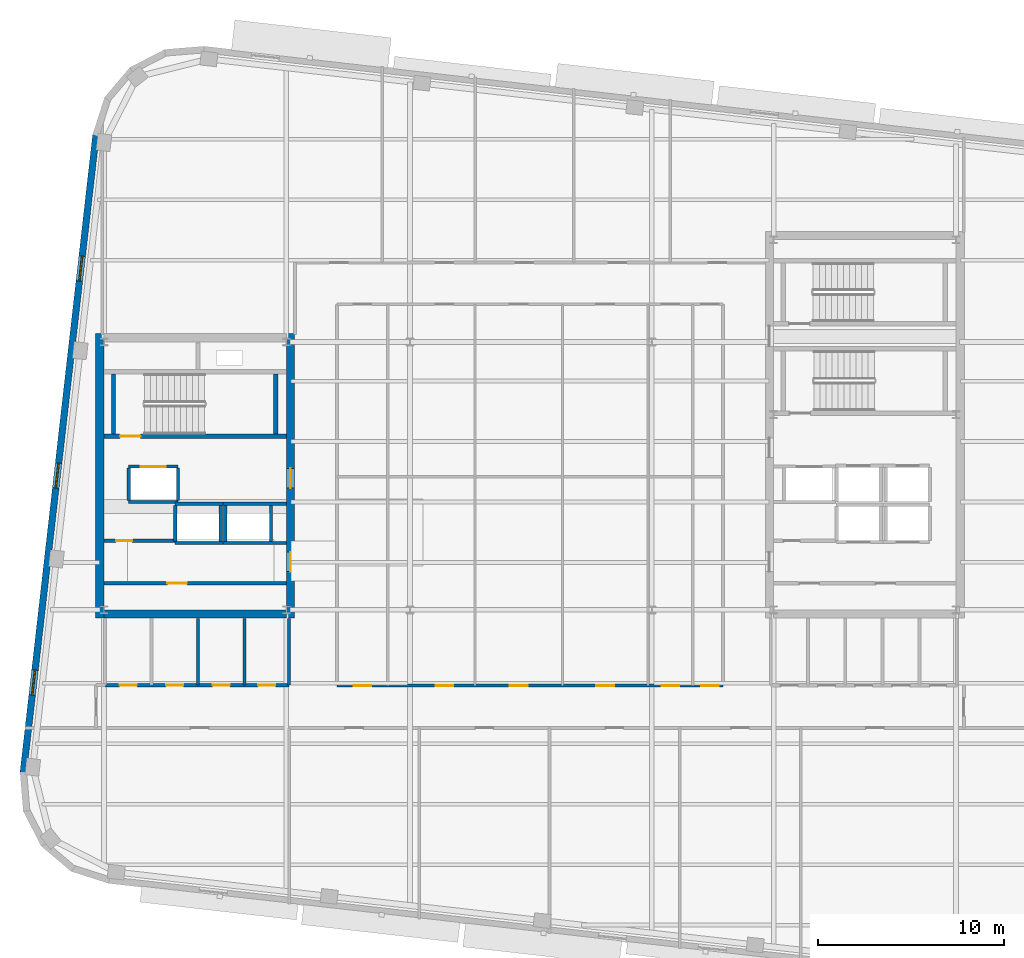
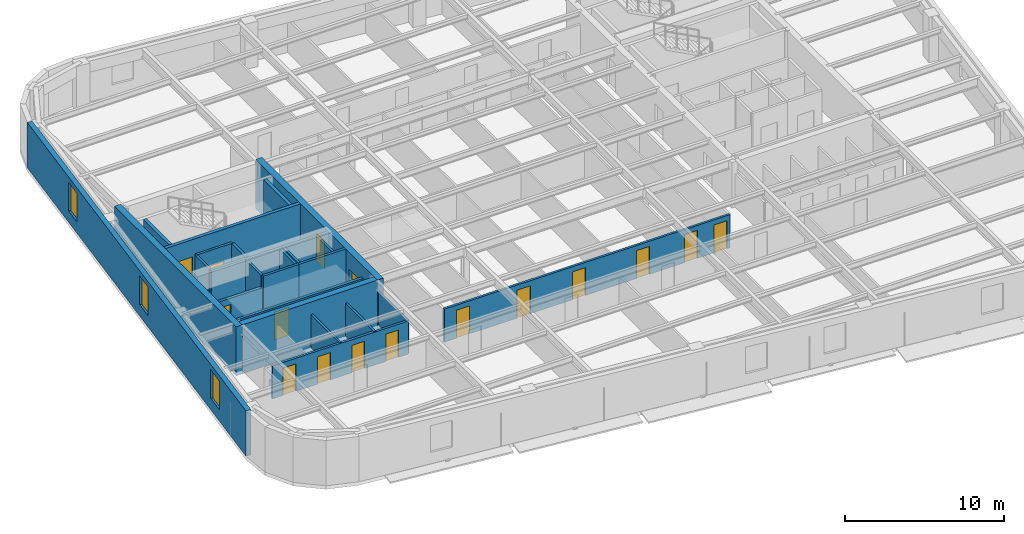
# One storey, part 6 of 13: 26 walls, 16 doors, 3 windows, 19 openings.
"""IFC4 building model written with IfcOpenShell, lengths in metres."""

from ifc_helpers import new_model, si_unit, direction, frame, frame_2d, origin, place, context, subcontext, project, spatial, rectangle, extrude, material, layer, layer_set, type_object, element, fill, save


model = new_model("IFC4")

# Units and contexts
model_context = context("Model", 3, precision=1e-05, world=origin(), true_north=direction((0.0, 1.0)))
body_context = subcontext(model_context, "Body", "Model", "MODEL_VIEW")
ifc_project = project(units=[si_unit("LENGTHUNIT", "METRE"), si_unit("AREAUNIT", "SQUARE_METRE"), si_unit("VOLUMEUNIT", "CUBIC_METRE"), si_unit("PLANEANGLEUNIT", "RADIAN"), si_unit("MASSUNIT", "GRAM", prefix="KILO")], contexts=[model_context])

# Site, building, storey
site_placement = place(None, origin())
site = spatial("IfcSite", under=ifc_project, at=site_placement, CompositionType="ELEMENT")
building_placement = place(site_placement, origin())
building = spatial("IfcBuilding", under=site, at=building_placement, Name="Kolvaren Arena Tower", CompositionType="ELEMENT")
storey_placement = place(building_placement, frame((0.0, 0.0, 232.199951171875)))
storey = spatial("IfcBuildingStorey", under=building, at=storey_placement, Name="L56", CompositionType="ELEMENT", Elevation=232.199951171875)

# Wall, openings, doors
ifc_material_1 = material(Name="Gypsum board acoustic assembly", Category="gypsum")
ifc_layer_1 = layer(ifc_material_1, 0.159912109375)
ifc_layer_set_1 = layer_set([ifc_layer_1], Name="Gypsum board acoustic assembly")
wall_type_1 = type_object("IfcWallType", Name="CORR-160", PredefinedType="PARTITIONING", material=ifc_layer_set_1)
wall_1_placement = place(storey_placement, frame((27.080078125, 15.3798828125, 0.0), z_axis=(0.0, 0.0, 1.0), x_axis=(1.0, 0.0, 0.0)))
wall_1 = element("IfcWall", 1, at=wall_1_placement, inside=storey, type_object=wall_type_1, Name="Interior Partition Wall (L56)", PredefinedType="PARTITIONING", context=body_context, shape_type="SweptSolid", body=[
    extrude(rectangle(XDim=20.739990234375, YDim=0.159912109375, at=frame_2d((10.3701171875, 0.0))), origin(), (0.0, 0.0, 1.0), 2.5400390625),
])
opening_1_placement = place(wall_1_placement, frame((0.89501953125, 0.0, 0.0)))
opening_1 = element("IfcOpeningElement", 2, at=opening_1_placement, cuts=wall_1, Name="Opening D05", PredefinedType="OPENING", context=body_context, shape_type="SweptSolid", body=[
    extrude(rectangle(XDim=0.949951171875, YDim=2.14990234375, at=frame_2d((0.47509765625, 1.074951171875))), frame((0.0, 0.08984375, 0.0), z_axis=(0.0, -1.0, 0.0), x_axis=(1.0, 0.0, 0.0)), (0.0, 0.0, 1.0), 0.179931640625),
])
opening_2_placement = place(wall_1_placement, frame((5.294921875, 0.0, 0.0)))
opening_2 = element("IfcOpeningElement", 3, at=opening_2_placement, cuts=wall_1, Name="Opening D05", PredefinedType="OPENING", context=body_context, shape_type="SweptSolid", body=[
    extrude(rectangle(XDim=0.949951171875, YDim=2.14990234375, at=frame_2d((0.47509765625, 1.074951171875))), frame((0.0, 0.08984375, 0.0), z_axis=(0.0, -1.0, 0.0), x_axis=(1.0, 0.0, 0.0)), (0.0, 0.0, 1.0), 0.179931640625),
])
opening_3_placement = place(wall_1_placement, frame((9.294921875, 0.0, 0.0)))
opening_3 = element("IfcOpeningElement", 4, at=opening_3_placement, cuts=wall_1, Name="Opening D05", PredefinedType="OPENING", context=body_context, shape_type="SweptSolid", body=[
    extrude(rectangle(XDim=0.949951171875, YDim=2.14990234375, at=frame_2d((0.47509765625, 1.074951171875))), frame((0.0, 0.08984375, 0.0), z_axis=(0.0, -1.0, 0.0), x_axis=(1.0, 0.0, 0.0)), (0.0, 0.0, 1.0), 0.179931640625),
])
opening_4_placement = place(wall_1_placement, frame((13.945068359375, 0.0, 0.0)))
opening_4 = element("IfcOpeningElement", 5, at=opening_4_placement, cuts=wall_1, Name="Opening D05", PredefinedType="OPENING", context=body_context, shape_type="SweptSolid", body=[
    extrude(rectangle(XDim=0.949951171875, YDim=2.14990234375, at=frame_2d((0.47509765625, 1.074951171875))), frame((0.0, 0.08984375, 0.0), z_axis=(0.0, -1.0, 0.0), x_axis=(1.0, 0.0, 0.0)), (0.0, 0.0, 1.0), 0.179931640625),
])
opening_5_placement = place(wall_1_placement, frame((17.445068359375, 0.0, 0.0)))
opening_5 = element("IfcOpeningElement", 6, at=opening_5_placement, cuts=wall_1, Name="Opening D05", PredefinedType="OPENING", context=body_context, shape_type="SweptSolid", body=[
    extrude(rectangle(XDim=0.949951171875, YDim=2.14990234375, at=frame_2d((0.47509765625, 1.074951171875))), frame((0.0, 0.08984375, 0.0), z_axis=(0.0, -1.0, 0.0), x_axis=(1.0, 0.0, 0.0)), (0.0, 0.0, 1.0), 0.179931640625),
])
opening_6_placement = place(wall_1_placement, frame((19.570068359375, 0.0, 0.0)))
opening_6 = element("IfcOpeningElement", 7, at=opening_6_placement, cuts=wall_1, Name="Opening D05", PredefinedType="OPENING", context=body_context, shape_type="SweptSolid", body=[
    extrude(rectangle(XDim=0.949951171875, YDim=2.14990234375, at=frame_2d((0.47509765625, 1.074951171875))), frame((0.0, 0.08984375, 0.0), z_axis=(0.0, -1.0, 0.0), x_axis=(1.0, 0.0, 0.0)), (0.0, 0.0, 1.0), 0.179931640625),
])
ifc_material_2 = material(Name="Solid-core oak acoustic office door", Category="wood")
door_type_1 = type_object("IfcDoorType", Name="DOOR-OF-095", OperationType="NOTDEFINED", PredefinedType="DOOR", material=ifc_material_2)
door_1_placement = place(opening_1_placement, origin())
door_1 = element("IfcDoor", 8, at=door_1_placement, inside=storey, type_object=door_type_1, Name="Training Seminar Room Door (L56)", OperationType="SINGLE_SWING_RIGHT", OverallHeight=2.14990234375, OverallWidth=0.949951171875, PredefinedType="DOOR", context=body_context, shape_type="SweptSolid", body=[
    extrude(rectangle(XDim=0.949951171875, YDim=2.14990234375, at=frame_2d((0.47509765625, 1.074951171875))), frame((0.0, 0.02490234375, 0.0), z_axis=(0.0, -1.0, 0.0), x_axis=(1.0, 0.0, 0.0)), (0.0, 0.0, 1.0), 0.050048828125),
])
fill(opening_1, door_1)
door_2_placement = place(opening_2_placement, origin())
door_2 = element("IfcDoor", 9, at=door_2_placement, inside=storey, type_object=door_type_1, Name="Training Seminar Room Door (L56)", OperationType="SINGLE_SWING_RIGHT", OverallHeight=2.14990234375, OverallWidth=0.949951171875, PredefinedType="DOOR", context=body_context, shape_type="SweptSolid", body=[
    extrude(rectangle(XDim=0.949951171875, YDim=2.14990234375, at=frame_2d((0.47509765625, 1.074951171875))), frame((0.0, 0.02490234375, 0.0), z_axis=(0.0, -1.0, 0.0), x_axis=(1.0, 0.0, 0.0)), (0.0, 0.0, 1.0), 0.050048828125),
])
fill(opening_2, door_2)
door_3_placement = place(opening_3_placement, origin())
door_3 = element("IfcDoor", 10, at=door_3_placement, inside=storey, type_object=door_type_1, Name="Boardroom Door (L56)", OperationType="SINGLE_SWING_RIGHT", OverallHeight=2.14990234375, OverallWidth=0.949951171875, PredefinedType="DOOR", context=body_context, shape_type="SweptSolid", body=[
    extrude(rectangle(XDim=0.949951171875, YDim=2.14990234375, at=frame_2d((0.47509765625, 1.074951171875))), frame((0.0, 0.02490234375, 0.0), z_axis=(0.0, -1.0, 0.0), x_axis=(1.0, 0.0, 0.0)), (0.0, 0.0, 1.0), 0.050048828125),
])
fill(opening_3, door_3)
door_4_placement = place(opening_4_placement, origin())
door_4 = element("IfcDoor", 11, at=door_4_placement, inside=storey, type_object=door_type_1, Name="Training Seminar Room Door (L56)", OperationType="SINGLE_SWING_RIGHT", OverallHeight=2.14990234375, OverallWidth=0.949951171875, PredefinedType="DOOR", context=body_context, shape_type="SweptSolid", body=[
    extrude(rectangle(XDim=0.949951171875, YDim=2.14990234375, at=frame_2d((0.47509765625, 1.074951171875))), frame((0.0, 0.02490234375, 0.0), z_axis=(0.0, -1.0, 0.0), x_axis=(1.0, 0.0, 0.0)), (0.0, 0.0, 1.0), 0.050048828125),
])
fill(opening_4, door_4)
door_5_placement = place(opening_5_placement, origin())
door_5 = element("IfcDoor", 12, at=door_5_placement, inside=storey, type_object=door_type_1, Name="Training Seminar Room Door (L56)", OperationType="SINGLE_SWING_RIGHT", OverallHeight=2.14990234375, OverallWidth=0.949951171875, PredefinedType="DOOR", context=body_context, shape_type="SweptSolid", body=[
    extrude(rectangle(XDim=0.949951171875, YDim=2.14990234375, at=frame_2d((0.47509765625, 1.074951171875))), frame((0.0, 0.02490234375, 0.0), z_axis=(0.0, -1.0, 0.0), x_axis=(1.0, 0.0, 0.0)), (0.0, 0.0, 1.0), 0.050048828125),
])
fill(opening_5, door_5)
door_6_placement = place(opening_6_placement, origin())
door_6 = element("IfcDoor", 13, at=door_6_placement, inside=storey, type_object=door_type_1, Name="Boardroom Door (L56)", OperationType="SINGLE_SWING_RIGHT", OverallHeight=2.14990234375, OverallWidth=0.949951171875, PredefinedType="DOOR", context=body_context, shape_type="SweptSolid", body=[
    extrude(rectangle(XDim=0.949951171875, YDim=2.14990234375, at=frame_2d((0.47509765625, 1.074951171875))), frame((0.0, 0.02490234375, 0.0), z_axis=(0.0, -1.0, 0.0), x_axis=(1.0, 0.0, 0.0)), (0.0, 0.0, 1.0), 0.050048828125),
])
fill(opening_6, door_6)

# Wall
ifc_material_3 = material(Name="Concrete 55 MPa", Category="concrete")
ifc_layer_2 = layer(ifc_material_3, 0.449951171875)
ifc_layer_set_2 = layer_set([ifc_layer_2], Name="Concrete 55 MPa")
wall_type_2 = type_object("IfcWallType", Name="CWALL-450", PredefinedType="SHEAR", material=ifc_layer_set_2)
wall_2_placement = place(storey_placement, frame((14.324951171875, 19.0, -0.27001953125), z_axis=(0.0, 0.0, 1.0), x_axis=(0.0, 1.0, 0.0)))
element("IfcWall", 14, at=wall_2_placement, inside=storey, type_object=wall_type_2, Name="Core Shear Wall WC-WEST (L56)", PredefinedType="SHEAR", context=body_context, shape_type="SweptSolid", body=[
    extrude(rectangle(XDim=15.300048828125, YDim=0.449951171875, at=frame_2d((7.64990234375, 0.0))), origin(), (0.0, 0.0, 1.0), 3.75),
])

# Wall, openings, doors
wall_3_placement = place(storey_placement, frame((24.574951171875, 19.0, -0.27001953125), z_axis=(0.0, 0.0, 1.0), x_axis=(0.0, 1.0, 0.0)))
wall_3 = element("IfcWall", 15, at=wall_3_placement, inside=storey, type_object=wall_type_2, Name="Core Shear Wall WC-EAST (L56)", PredefinedType="SHEAR", context=body_context, shape_type="SweptSolid", body=[
    extrude(rectangle(XDim=15.300048828125, YDim=0.449951171875, at=frame_2d((7.64990234375, 0.0))), origin(), (0.0, 0.0, 1.0), 3.75),
])
opening_7_placement = place(wall_3_placement, frame((2.5, 0.0, 0.27001953125)))
opening_7 = element("IfcOpeningElement", 16, at=opening_7_placement, cuts=wall_3, Name="Opening D04", PredefinedType="OPENING", context=body_context, shape_type="SweptSolid", body=[
    extrude(rectangle(XDim=1.050048828125, YDim=2.14990234375, at=frame_2d((0.52490234375, 1.074951171875))), frame((0.0, 0.23486328125, 0.0), z_axis=(0.0, -1.0, 0.0), x_axis=(1.0, 0.0, 0.0)), (0.0, 0.0, 1.0), 0.469970703125),
])
opening_8_placement = place(wall_3_placement, frame((7.0, 0.0, 0.27001953125)))
opening_8 = element("IfcOpeningElement", 17, at=opening_8_placement, cuts=wall_3, Name="Opening D04", PredefinedType="OPENING", context=body_context, shape_type="SweptSolid", body=[
    extrude(rectangle(XDim=1.050048828125, YDim=2.14990234375, at=frame_2d((0.52490234375, 1.074951171875))), frame((0.0, 0.23486328125, 0.0), z_axis=(0.0, -1.0, 0.0), x_axis=(1.0, 0.0, 0.0)), (0.0, 0.0, 1.0), 0.469970703125),
])
ifc_material_4 = material(Name="Fire-rated steel lobby door", Category="steel")
door_type_2 = type_object("IfcDoorType", Name="DOOR-FF-105", OperationType="NOTDEFINED", PredefinedType="DOOR", material=ifc_material_4)
door_7_placement = place(opening_7_placement, origin())
door_7 = element("IfcDoor", 18, at=door_7_placement, inside=storey, type_object=door_type_2, Name="West Lift Lobby Fire Door (L56)", OperationType="SINGLE_SWING_LEFT", OverallHeight=2.14990234375, OverallWidth=1.050048828125, PredefinedType="DOOR", context=body_context, shape_type="SweptSolid", body=[
    extrude(rectangle(XDim=1.050048828125, YDim=2.14990234375, at=frame_2d((0.52490234375, 1.074951171875))), frame((0.0, 0.02490234375, 0.0), z_axis=(0.0, -1.0, 0.0), x_axis=(1.0, 0.0, 0.0)), (0.0, 0.0, 1.0), 0.050048828125),
])
fill(opening_7, door_7)
door_8_placement = place(opening_8_placement, origin())
door_8 = element("IfcDoor", 19, at=door_8_placement, inside=storey, type_object=door_type_2, Name="West Firefighter Vestibule Door (L56)", OperationType="SINGLE_SWING_RIGHT", OverallHeight=2.14990234375, OverallWidth=1.050048828125, PredefinedType="DOOR", context=body_context, shape_type="SweptSolid", body=[
    extrude(rectangle(XDim=1.050048828125, YDim=2.14990234375, at=frame_2d((0.52490234375, 1.074951171875))), frame((0.0, 0.02490234375, 0.0), z_axis=(0.0, -1.0, 0.0), x_axis=(1.0, 0.0, 0.0)), (0.0, 0.0, 1.0), 0.050048828125),
])
fill(opening_8, door_8)

# Wall
wall_4_placement = place(storey_placement, frame((14.550048828125, 19.22509765625, -0.27001953125), z_axis=(0.0, 0.0, 1.0), x_axis=(1.0, 0.0, 0.0)))
element("IfcWall", 20, at=wall_4_placement, inside=storey, type_object=wall_type_2, Name="Core Shear Wall WC-SOUTH (L56)", PredefinedType="SHEAR", context=body_context, shape_type="SweptSolid", body=[
    extrude(rectangle(XDim=9.800048828125, YDim=0.449951171875, at=frame_2d((4.89990234375, 0.0))), origin(), (0.0, 0.0, 1.0), 3.75),
])

# Wall, openings, windows
ifc_material_5 = material(Name="Precast concrete C50/60", Category="concrete")
ifc_layer_3 = layer(ifc_material_5, 0.360107421875)
ifc_layer_set_3 = layer_set([ifc_layer_3], Name="Precast concrete C50/60")
wall_type_3 = type_object("IfcWallType", Name="EXT-PIER2", PredefinedType="SOLIDWALL", material=ifc_layer_set_3)
wall_5_placement = place(storey_placement, frame((10.211181640625, 10.70068359375, 0.0), z_axis=(0.0, 0.0, 1.0), x_axis=(0.113203107947, 0.993571867733, 0.0)))
wall_5 = element("IfcWall", 21, at=wall_5_placement, inside=storey, type_object=wall_type_3, Name="Exterior Precast Masonry-Frame Wall (L56)", PredefinedType="SOLIDWALL", context=body_context, shape_type="SweptSolid", body=[
    extrude(rectangle(XDim=34.5, YDim=0.360107421875, at=frame_2d((17.25, 0.0))), origin(), (0.0, 0.0, 1.0), 3.47998046875),
])
opening_9_placement = place(wall_5_placement, frame((4.199951171875, 0.0, 0.8798828125)))
opening_9 = element("IfcOpeningElement", 22, at=opening_9_placement, cuts=wall_5, Name="Opening W04", PredefinedType="OPENING", context=body_context, shape_type="SweptSolid", body=[
    extrude(rectangle(XDim=1.35009765625, YDim=2.199951171875, at=frame_2d((0.675048828125, 1.10009765625))), frame((0.0, 0.18994140625, 0.0), z_axis=(0.0, -1.0, 0.0), x_axis=(1.0, 0.0, 0.0)), (0.0, 0.0, 1.0), 0.380126953125),
])
opening_10_placement = place(wall_5_placement, frame((15.39990234375, 0.0, 0.8798828125)))
opening_10 = element("IfcOpeningElement", 23, at=opening_10_placement, cuts=wall_5, Name="Opening W04", PredefinedType="OPENING", context=body_context, shape_type="SweptSolid", body=[
    extrude(rectangle(XDim=1.35009765625, YDim=2.199951171875, at=frame_2d((0.675048828125, 1.10009765625))), frame((0.0, 0.18994140625, 0.0), z_axis=(0.0, -1.0, 0.0), x_axis=(1.0, 0.0, 0.0)), (0.0, 0.0, 1.0), 0.380126953125),
])
opening_11_placement = place(wall_5_placement, frame((26.60009765625, 0.0, 0.8798828125)))
opening_11 = element("IfcOpeningElement", 24, at=opening_11_placement, cuts=wall_5, Name="Opening W04", PredefinedType="OPENING", context=body_context, shape_type="SweptSolid", body=[
    extrude(rectangle(XDim=1.35009765625, YDim=2.199951171875, at=frame_2d((0.675048828125, 1.10009765625))), frame((0.0, 0.18994140625, 0.0), z_axis=(0.0, -1.0, 0.0), x_axis=(1.0, 0.0, 0.0)), (0.0, 0.0, 1.0), 0.380126953125),
])
ifc_material_6 = material(Name="Triple-glazed curved-facet corner window", Category="glass")
window_type = type_object("IfcWindowType", Name="WIN-CRN-A", PartitioningType="SINGLE_PANEL", PredefinedType="WINDOW", material=ifc_material_6)
window_1_placement = place(opening_9_placement, origin())
window_1 = element("IfcWindow", 25, at=window_1_placement, inside=storey, type_object=window_type, Name="End-Wall Punched Window (L56)", OverallHeight=2.199951171875, OverallWidth=1.35009765625, PartitioningType="SINGLE_PANEL", PredefinedType="WINDOW", context=body_context, shape_type="SweptSolid", body=[
    extrude(rectangle(XDim=1.35009765625, YDim=2.199951171875, at=frame_2d((0.675048828125, 1.10009765625))), frame((0.0, 0.030029296875, 0.0), z_axis=(0.0, -1.0, 0.0), x_axis=(1.0, 0.0, 0.0)), (0.0, 0.0, 1.0), 0.06005859375),
])
fill(opening_9, window_1)
window_2_placement = place(opening_10_placement, origin())
window_2 = element("IfcWindow", 26, at=window_2_placement, inside=storey, type_object=window_type, Name="End-Wall Punched Window (L56)", OverallHeight=2.199951171875, OverallWidth=1.35009765625, PartitioningType="SINGLE_PANEL", PredefinedType="WINDOW", context=body_context, shape_type="SweptSolid", body=[
    extrude(rectangle(XDim=1.35009765625, YDim=2.199951171875, at=frame_2d((0.675048828125, 1.10009765625))), frame((0.0, 0.030029296875, 0.0), z_axis=(0.0, -1.0, 0.0), x_axis=(1.0, 0.0, 0.0)), (0.0, 0.0, 1.0), 0.06005859375),
])
fill(opening_10, window_2)
window_3_placement = place(opening_11_placement, origin())
window_3 = element("IfcWindow", 27, at=window_3_placement, inside=storey, type_object=window_type, Name="End-Wall Punched Window (L56)", OverallHeight=2.199951171875, OverallWidth=1.35009765625, PartitioningType="SINGLE_PANEL", PredefinedType="WINDOW", context=body_context, shape_type="SweptSolid", body=[
    extrude(rectangle(XDim=1.35009765625, YDim=2.199951171875, at=frame_2d((0.675048828125, 1.10009765625))), frame((0.0, 0.030029296875, 0.0), z_axis=(0.0, -1.0, 0.0), x_axis=(1.0, 0.0, 0.0)), (0.0, 0.0, 1.0), 0.06005859375),
])
fill(opening_11, window_3)

# Wall, opening, door
ifc_material_7 = material(Name="Concrete 40 MPa", Category="concrete")
ifc_layer_4 = layer(ifc_material_7, 0.199951171875)
ifc_layer_set_4 = layer_set([ifc_layer_4], Name="Concrete 40 MPa")
wall_type_4 = type_object("IfcWallType", Name="LOBBY-200", PredefinedType="SOLIDWALL", material=ifc_layer_set_4)
wall_6_placement = place(storey_placement, frame((14.550048828125, 20.8798828125, 0.0), z_axis=(0.0, 0.0, 1.0), x_axis=(1.0, 0.0, 0.0)))
wall_6 = element("IfcWall", 28, at=wall_6_placement, inside=storey, type_object=wall_type_4, Name="Core Shaft Wall (L56)", PredefinedType="SOLIDWALL", context=body_context, shape_type="SweptSolid", body=[
    extrude(rectangle(XDim=9.800048828125, YDim=0.199951171875, at=frame_2d((4.89990234375, 0.0))), origin(), (0.0, 0.0, 1.0), 2.5400390625),
])
opening_12_placement = place(wall_6_placement, frame((3.39990234375, 0.0, 0.0)))
opening_12 = element("IfcOpeningElement", 29, at=opening_12_placement, cuts=wall_6, Name="Opening D04", PredefinedType="OPENING", context=body_context, shape_type="SweptSolid", body=[
    extrude(rectangle(XDim=1.050048828125, YDim=2.14990234375, at=frame_2d((0.52490234375, 1.074951171875))), frame((0.0, 0.10986328125, 0.0), z_axis=(0.0, -1.0, 0.0), x_axis=(1.0, 0.0, 0.0)), (0.0, 0.0, 1.0), 0.219970703125),
])
door_9_placement = place(opening_12_placement, origin())
door_9 = element("IfcDoor", 30, at=door_9_placement, inside=storey, type_object=door_type_2, Name="West IT Room Fire Door (L56)", OperationType="SINGLE_SWING_LEFT", OverallHeight=2.14990234375, OverallWidth=1.050048828125, PredefinedType="DOOR", context=body_context, shape_type="SweptSolid", body=[
    extrude(rectangle(XDim=1.050048828125, YDim=2.14990234375, at=frame_2d((0.52490234375, 1.074951171875))), frame((0.0, 0.02490234375, 0.0), z_axis=(0.0, -1.0, 0.0), x_axis=(1.0, 0.0, 0.0)), (0.0, 0.0, 1.0), 0.050048828125),
])
fill(opening_12, door_9)

wall_7_placement = place(storey_placement, frame((14.550048828125, 23.159912109375, 0.0), z_axis=(0.0, 0.0, 1.0), x_axis=(1.0, 0.0, 0.0)))
wall_7 = element("IfcWall", 31, at=wall_7_placement, inside=storey, type_object=wall_type_4, Name="Core Shaft Wall (L56)", PredefinedType="SOLIDWALL", context=body_context, shape_type="SweptSolid", body=[
    extrude(rectangle(XDim=3.820068359375, YDim=0.199951171875, at=frame_2d((1.91015625, 0.0))), origin(), (0.0, 0.0, 1.0), 2.5400390625),
])
opening_13_placement = place(wall_7_placement, frame((0.64990234375, 0.0, 0.0)))
opening_13 = element("IfcOpeningElement", 32, at=opening_13_placement, cuts=wall_7, Name="Opening D09", PredefinedType="OPENING", context=body_context, shape_type="SweptSolid", body=[
    extrude(rectangle(XDim=0.860107421875, YDim=2.050048828125, at=frame_2d((0.43017578125, 1.02490234375))), frame((0.0, 0.10986328125, 0.0), z_axis=(0.0, -1.0, 0.0), x_axis=(1.0, 0.0, 0.0)), (0.0, 0.0, 1.0), 0.219970703125),
])
ifc_material_8 = material(Name="Fire-rated steel riser access door", Category="steel")
door_type_3 = type_object("IfcDoorType", Name="DOOR-RS-086", OperationType="NOTDEFINED", PredefinedType="DOOR", material=ifc_material_8)
door_10_placement = place(opening_13_placement, origin())
door_10 = element("IfcDoor", 33, at=door_10_placement, inside=storey, type_object=door_type_3, Name="West Document Archive Riser Door (L56)", OperationType="SINGLE_SWING_RIGHT", OverallHeight=2.050048828125, OverallWidth=0.860107421875, PredefinedType="DOOR", context=body_context, shape_type="SweptSolid", body=[
    extrude(rectangle(XDim=0.860107421875, YDim=2.050048828125, at=frame_2d((0.43017578125, 1.02490234375))), frame((0.0, 0.02490234375, 0.0), z_axis=(0.0, -1.0, 0.0), x_axis=(1.0, 0.0, 0.0)), (0.0, 0.0, 1.0), 0.050048828125),
])
fill(opening_13, door_10)

ifc_material_9 = material(Name="Concrete 45 MPa", Category="concrete")
ifc_layer_5 = layer(ifc_material_9, 0.25)
ifc_layer_set_5 = layer_set([ifc_layer_5], Name="Concrete 45 MPa")
wall_type_5 = type_object("IfcWallType", Name="SHAFT-250", PredefinedType="SOLIDWALL", material=ifc_layer_set_5)
wall_8_placement = place(storey_placement, frame((24.35009765625, 28.780029296875, 0.0), z_axis=(0.0, 0.0, 1.0), x_axis=(-1.0, 0.0, 0.0)))
wall_8 = element("IfcWall", 34, at=wall_8_placement, inside=storey, type_object=wall_type_5, Name="Core Shaft Wall (L56)", PredefinedType="SOLIDWALL", context=body_context, shape_type="SweptSolid", body=[
    extrude(rectangle(XDim=9.800048828125, YDim=0.239990234375, at=frame_2d((4.89990234375, 0.0))), origin(), (0.0, 0.0, 1.0), 3.47998046875),
])
opening_14_placement = place(wall_8_placement, frame((7.830078125, 0.0, 0.0)))
opening_14 = element("IfcOpeningElement", 35, at=opening_14_placement, cuts=wall_8, Name="Opening D03", PredefinedType="OPENING", context=body_context, shape_type="SweptSolid", body=[
    extrude(rectangle(XDim=1.10009765625, YDim=2.14990234375, at=frame_2d((0.550048828125, 1.074951171875))), frame((0.0, 0.1298828125, 0.0), z_axis=(0.0, -1.0, 0.0), x_axis=(1.0, 0.0, 0.0)), (0.0, 0.0, 1.0), 0.260009765625),
])
ifc_material_10 = material(Name="Fire-rated steel exit stair door", Category="steel")
door_type_4 = type_object("IfcDoorType", Name="DOOR-ST-110", OperationType="NOTDEFINED", PredefinedType="DOOR", material=ifc_material_10)
door_11_placement = place(opening_14_placement, origin())
door_11 = element("IfcDoor", 36, at=door_11_placement, inside=storey, type_object=door_type_4, Name="Stair ST-W1 Fire Door (L56)", OperationType="SINGLE_SWING_RIGHT", OverallHeight=2.14990234375, OverallWidth=1.10009765625, PredefinedType="DOOR", context=body_context, shape_type="SweptSolid", body=[
    extrude(rectangle(XDim=1.10009765625, YDim=2.14990234375, at=frame_2d((0.550048828125, 1.074951171875))), frame((0.0, 0.02490234375, 0.0), z_axis=(0.0, -1.0, 0.0), x_axis=(1.0, 0.0, 0.0)), (0.0, 0.0, 1.0), 0.050048828125),
])
fill(opening_14, door_11)

# Walls
for number, where, z_axis, x_axis, name in (
    (37, (15.06005859375, 28.89990234375, 0.0), (0.0, 0.0, 1.0), (0.0, 1.0, 0.0), "Core Shaft Wall (L56)"),
    (38, (23.780029296875, 28.89990234375, 0.0), (0.0, 0.0, 1.0), (0.0, 1.0, 0.0), "Core Shaft Wall (L56)"),
):
    element("IfcWall", number, at=place(storey_placement, frame(where, z_axis=z_axis, x_axis=x_axis)), inside=storey, type_object=wall_type_5, Name=name, PredefinedType="SOLIDWALL", context=body_context, shape_type="SweptSolid", body=[
        extrude(rectangle(XDim=3.22998046875, YDim=0.239990234375, at=frame_2d((1.614990234375, 0.0))), origin(), (0.0, 0.0, 1.0), 3.47998046875),
    ])
for number, where, z_axis, x_axis, name in (
    (39, (18.3701171875, 25.155029296875, 0.0), (0.0, 0.0, 1.0), (1.0, 0.0, 0.0), "Core Shaft Wall (L56)"),
    (40, (18.3701171875, 23.044921875, 0.0), (0.0, 0.0, 1.0), (1.0, 0.0, 0.0), "Core Shaft Wall (L56)"),
):
    element("IfcWall", number, at=place(storey_placement, frame(where, z_axis=z_axis, x_axis=x_axis)), inside=storey, type_object=wall_type_5, Name=name, PredefinedType="SOLIDWALL", context=body_context, shape_type="SweptSolid", body=[
        extrude(rectangle(XDim=2.579833984375, YDim=0.179931640625, at=frame_2d((1.2900390625, 0.0))), origin(), (0.0, 0.0, 1.0), 3.47998046875),
    ])
for number, where, z_axis, x_axis, name in (
    (41, (18.3701171875, 23.135009765625, 0.0), (0.0, 0.0, 1.0), (0.0, 1.0, 0.0), "Core Shaft Wall (L56)"),
    (42, (20.830078125, 23.135009765625, 0.0), (0.0, 0.0, 1.0), (0.0, 1.0, 0.0), "Core Shaft Wall (L56)"),
):
    element("IfcWall", number, at=place(storey_placement, frame(where, z_axis=z_axis, x_axis=x_axis)), inside=storey, type_object=wall_type_5, Name=name, PredefinedType="SOLIDWALL", context=body_context, shape_type="SweptSolid", body=[
        extrude(rectangle(XDim=1.929931640625, YDim=0.179931640625, at=frame_2d((0.96484375, 0.0))), origin(), (0.0, 0.0, 1.0), 3.47998046875),
    ])
for number, where, z_axis, x_axis, name in (
    (43, (20.949951171875, 25.155029296875, 0.0), (0.0, 0.0, 1.0), (1.0, 0.0, 0.0), "Core Shaft Wall (L56)"),
    (44, (20.949951171875, 23.044921875, 0.0), (0.0, 0.0, 1.0), (1.0, 0.0, 0.0), "Core Shaft Wall (L56)"),
):
    element("IfcWall", number, at=place(storey_placement, frame(where, z_axis=z_axis, x_axis=x_axis)), inside=storey, type_object=wall_type_5, Name=name, PredefinedType="SOLIDWALL", context=body_context, shape_type="SweptSolid", body=[
        extrude(rectangle(XDim=3.400146484375, YDim=0.179931640625, at=frame_2d((1.7001953125, 0.0))), origin(), (0.0, 0.0, 1.0), 3.47998046875),
    ])
for number, where, z_axis, x_axis, name in (
    (45, (21.070068359375, 23.135009765625, 0.0), (0.0, 0.0, 1.0), (0.0, 1.0, 0.0), "Core Shaft Wall (L56)"),
    (46, (23.530029296875, 23.135009765625, 0.0), (0.0, 0.0, 1.0), (0.0, 1.0, 0.0), "Core Shaft Wall (L56)"),
):
    element("IfcWall", number, at=place(storey_placement, frame(where, z_axis=z_axis, x_axis=x_axis)), inside=storey, type_object=wall_type_5, Name=name, PredefinedType="SOLIDWALL", context=body_context, shape_type="SweptSolid", body=[
        extrude(rectangle(XDim=1.929931640625, YDim=0.179931640625, at=frame_2d((0.96484375, 0.0))), origin(), (0.0, 0.0, 1.0), 3.47998046875),
    ])

# Wall, opening, door
wall_9_placement = place(storey_placement, frame((15.8701171875, 27.155029296875, 0.0), z_axis=(0.0, 0.0, 1.0), x_axis=(1.0, 0.0, 0.0)))
wall_9 = element("IfcWall", 47, at=wall_9_placement, inside=storey, type_object=wall_type_5, Name="Core Shaft Wall (L56)", PredefinedType="SOLIDWALL", context=body_context, shape_type="SweptSolid", body=[
    extrude(rectangle(XDim=2.659912109375, YDim=0.179931640625, at=frame_2d((1.330078125, 0.0))), origin(), (0.0, 0.0, 1.0), 3.47998046875),
])
opening_15_placement = place(wall_9_placement, frame((0.655029296875, 0.0, 0.0)))
opening_15 = element("IfcOpeningElement", 48, at=opening_15_placement, cuts=wall_9, Name="Opening LD2", PredefinedType="OPENING", context=body_context, shape_type="SweptSolid", body=[
    extrude(rectangle(XDim=1.35009765625, YDim=2.300048828125, at=frame_2d((0.675048828125, 1.14990234375))), frame((0.0, 0.099853515625, 0.0), z_axis=(0.0, -1.0, 0.0), x_axis=(1.0, 0.0, 0.0)), (0.0, 0.0, 1.0), 0.199951171875),
])
ifc_material_11 = material(Name="Stainless steel firefighter lift landing door", Category="steel")
door_type_5 = type_object("IfcDoorType", Name="DOOR-LD-135", OperationType="DOUBLE_DOOR_SLIDING", PredefinedType="DOOR", material=ifc_material_11)
door_12_placement = place(opening_15_placement, origin())
door_12 = element("IfcDoor", 49, at=door_12_placement, inside=storey, type_object=door_type_5, Name="Firefighter Lift FF-W1 Landing Door (L56)", OperationType="DOUBLE_DOOR_SLIDING", OverallHeight=2.300048828125, OverallWidth=1.35009765625, PredefinedType="DOOR", context=body_context, shape_type="SweptSolid", body=[
    extrude(rectangle(XDim=1.35009765625, YDim=2.300048828125, at=frame_2d((0.675048828125, 1.14990234375))), frame((0.0, 0.02490234375, 0.0), z_axis=(0.0, -1.0, 0.0), x_axis=(1.0, 0.0, 0.0)), (0.0, 0.0, 1.0), 0.050048828125),
])
fill(opening_15, door_12)

# Walls
wall_10_placement = place(storey_placement, frame((15.8701171875, 25.2451171875, 0.0), z_axis=(0.0, 0.0, 1.0), x_axis=(1.0, 0.0, 0.0)))
element("IfcWall", 50, at=wall_10_placement, inside=storey, type_object=wall_type_5, Name="Core Shaft Wall (L56)", PredefinedType="SOLIDWALL", context=body_context, shape_type="SweptSolid", body=[
    extrude(rectangle(XDim=2.659912109375, YDim=0.179931640625, at=frame_2d((1.330078125, 0.0))), origin(), (0.0, 0.0, 1.0), 3.47998046875),
])
for number, where, z_axis, x_axis, name in (
    (51, (15.8701171875, 25.3349609375, 0.0), (0.0, 0.0, 1.0), (0.0, 1.0, 0.0), "Core Shaft Wall (L56)"),
    (52, (18.530029296875, 25.3349609375, 0.0), (0.0, 0.0, 1.0), (0.0, 1.0, 0.0), "Core Shaft Wall (L56)"),
):
    element("IfcWall", number, at=place(storey_placement, frame(where, z_axis=z_axis, x_axis=x_axis)), inside=storey, type_object=wall_type_5, Name=name, PredefinedType="SOLIDWALL", context=body_context, shape_type="SweptSolid", body=[
        extrude(rectangle(XDim=1.72998046875, YDim=0.179931640625, at=frame_2d((0.864990234375, 0.0))), origin(), (0.0, 0.0, 1.0), 3.47998046875),
    ])
ifc_material_12 = material(Name="Moisture-resistant gypsum assembly", Category="gypsum")
ifc_layer_6 = layer(ifc_material_12, 0.14990234375)
ifc_layer_set_6 = layer_set([ifc_layer_6], Name="Moisture-resistant gypsum assembly")
wall_type_6 = type_object("IfcWallType", Name="WETW-150", PredefinedType="PARTITIONING", material=ifc_layer_set_6)
for number, where, z_axis, x_axis, name in (
    (53, (19.60009765625, 15.39990234375, 0.0), (0.0, 0.0, 1.0), (0.0, 1.0, 0.0), "Interior Partition Wall (L56)"),
    (54, (22.10009765625, 15.39990234375, 0.0), (0.0, 0.0, 1.0), (0.0, 1.0, 0.0), "Interior Partition Wall (L56)"),
):
    element("IfcWall", number, at=place(storey_placement, frame(where, z_axis=z_axis, x_axis=x_axis)), inside=storey, type_object=wall_type_6, Name=name, PredefinedType="PARTITIONING", context=body_context, shape_type="SweptSolid", body=[
        extrude(rectangle(XDim=3.580078125, YDim=0.14990234375, at=frame_2d((1.7900390625, 0.0))), origin(), (0.0, 0.0, 1.0), 2.5400390625),
    ])

# Wall, openings, doors
wall_11_placement = place(storey_placement, frame((14.60009765625, 15.39990234375, 0.0), z_axis=(0.0, 0.0, 1.0), x_axis=(1.0, 0.0, 0.0)))
wall_11 = element("IfcWall", 55, at=wall_11_placement, inside=storey, type_object=wall_type_6, Name="Interior Partition Wall (L56)", PredefinedType="PARTITIONING", context=body_context, shape_type="SweptSolid", body=[
    extrude(rectangle(XDim=9.89990234375, YDim=0.179931640625, at=frame_2d((4.949951171875, 0.0))), origin(), (0.0, 0.0, 1.0), 2.5400390625),
])
opening_16_placement = place(wall_11_placement, frame((0.7900390625, 0.0, 0.0)))
opening_16 = element("IfcOpeningElement", 56, at=opening_16_placement, cuts=wall_11, Name="Opening D07", PredefinedType="OPENING", context=body_context, shape_type="SweptSolid", body=[
    extrude(rectangle(XDim=0.919921875, YDim=2.10009765625, at=frame_2d((0.4599609375, 1.050048828125))), frame((0.0, 0.099853515625, 0.0), z_axis=(0.0, -1.0, 0.0), x_axis=(1.0, 0.0, 0.0)), (0.0, 0.0, 1.0), 0.199951171875),
])
opening_17_placement = place(wall_11_placement, frame((3.2900390625, 0.0, 0.0)))
opening_17 = element("IfcOpeningElement", 57, at=opening_17_placement, cuts=wall_11, Name="Opening D07", PredefinedType="OPENING", context=body_context, shape_type="SweptSolid", body=[
    extrude(rectangle(XDim=0.919921875, YDim=2.10009765625, at=frame_2d((0.4599609375, 1.050048828125))), frame((0.0, 0.099853515625, 0.0), z_axis=(0.0, -1.0, 0.0), x_axis=(1.0, 0.0, 0.0)), (0.0, 0.0, 1.0), 0.199951171875),
])
opening_18_placement = place(wall_11_placement, frame((5.7900390625, 0.0, 0.0)))
opening_18 = element("IfcOpeningElement", 58, at=opening_18_placement, cuts=wall_11, Name="Opening D07", PredefinedType="OPENING", context=body_context, shape_type="SweptSolid", body=[
    extrude(rectangle(XDim=0.919921875, YDim=2.10009765625, at=frame_2d((0.4599609375, 1.050048828125))), frame((0.0, 0.099853515625, 0.0), z_axis=(0.0, -1.0, 0.0), x_axis=(1.0, 0.0, 0.0)), (0.0, 0.0, 1.0), 0.199951171875),
])
opening_19_placement = place(wall_11_placement, frame((8.239990234375, 0.0, 0.0)))
opening_19 = element("IfcOpeningElement", 59, at=opening_19_placement, cuts=wall_11, Name="Opening D07", PredefinedType="OPENING", context=body_context, shape_type="SweptSolid", body=[
    extrude(rectangle(XDim=0.919921875, YDim=2.10009765625, at=frame_2d((0.4599609375, 1.050048828125))), frame((0.0, 0.099853515625, 0.0), z_axis=(0.0, -1.0, 0.0), x_axis=(1.0, 0.0, 0.0)), (0.0, 0.0, 1.0), 0.199951171875),
])
ifc_material_13 = material(Name="Laminate universal washroom door", Category="wood")
door_type_6 = type_object("IfcDoorType", Name="DOOR-WC-092", OperationType="NOTDEFINED", PredefinedType="DOOR", material=ifc_material_13)
door_13_placement = place(opening_16_placement, origin())
door_13 = element("IfcDoor", 60, at=door_13_placement, inside=storey, type_object=door_type_6, Name="Women Restroom Door (L56)", OperationType="SINGLE_SWING_RIGHT", OverallHeight=2.10009765625, OverallWidth=0.919921875, PredefinedType="DOOR", context=body_context, shape_type="SweptSolid", body=[
    extrude(rectangle(XDim=0.919921875, YDim=2.10009765625, at=frame_2d((0.4599609375, 1.050048828125))), frame((0.0, 0.02490234375, 0.0), z_axis=(0.0, -1.0, 0.0), x_axis=(1.0, 0.0, 0.0)), (0.0, 0.0, 1.0), 0.050048828125),
])
fill(opening_16, door_13)
door_14_placement = place(opening_17_placement, origin())
door_14 = element("IfcDoor", 61, at=door_14_placement, inside=storey, type_object=door_type_6, Name="Men Restroom Door (L56)", OperationType="SINGLE_SWING_LEFT", OverallHeight=2.10009765625, OverallWidth=0.919921875, PredefinedType="DOOR", context=body_context, shape_type="SweptSolid", body=[
    extrude(rectangle(XDim=0.919921875, YDim=2.10009765625, at=frame_2d((0.4599609375, 1.050048828125))), frame((0.0, 0.02490234375, 0.0), z_axis=(0.0, -1.0, 0.0), x_axis=(1.0, 0.0, 0.0)), (0.0, 0.0, 1.0), 0.050048828125),
])
fill(opening_17, door_14)
door_15_placement = place(opening_18_placement, origin())
door_15 = element("IfcDoor", 62, at=door_15_placement, inside=storey, type_object=door_type_6, Name="Universal Barrier-Free Washroom Door (L56)", OperationType="SINGLE_SWING_RIGHT", OverallHeight=2.10009765625, OverallWidth=0.919921875, PredefinedType="DOOR", context=body_context, shape_type="SweptSolid", body=[
    extrude(rectangle(XDim=0.919921875, YDim=2.10009765625, at=frame_2d((0.4599609375, 1.050048828125))), frame((0.0, 0.02490234375, 0.0), z_axis=(0.0, -1.0, 0.0), x_axis=(1.0, 0.0, 0.0)), (0.0, 0.0, 1.0), 0.050048828125),
])
fill(opening_18, door_15)
door_16_placement = place(opening_19_placement, origin())
door_16 = element("IfcDoor", 63, at=door_16_placement, inside=storey, type_object=door_type_6, Name="Linen Store Door (L56)", OperationType="SINGLE_SWING_LEFT", OverallHeight=2.10009765625, OverallWidth=0.919921875, PredefinedType="DOOR", context=body_context, shape_type="SweptSolid", body=[
    extrude(rectangle(XDim=0.919921875, YDim=2.10009765625, at=frame_2d((0.4599609375, 1.050048828125))), frame((0.0, 0.02490234375, 0.0), z_axis=(0.0, -1.0, 0.0), x_axis=(1.0, 0.0, 0.0)), (0.0, 0.0, 1.0), 0.050048828125),
])
fill(opening_19, door_16)

# Wall
wall_12_placement = place(storey_placement, frame((24.5, 15.39990234375, 0.0), z_axis=(0.0, 0.0, 1.0), x_axis=(0.0, 1.0, 0.0)))
element("IfcWall", 64, at=wall_12_placement, inside=storey, type_object=wall_type_6, Name="Interior Partition Wall (L56)", PredefinedType="PARTITIONING", context=body_context, shape_type="SweptSolid", body=[
    extrude(rectangle(XDim=3.580078125, YDim=0.14990234375, at=frame_2d((1.7900390625, 0.0))), origin(), (0.0, 0.0, 1.0), 2.5400390625),
])

save(model, "model.ifc")
